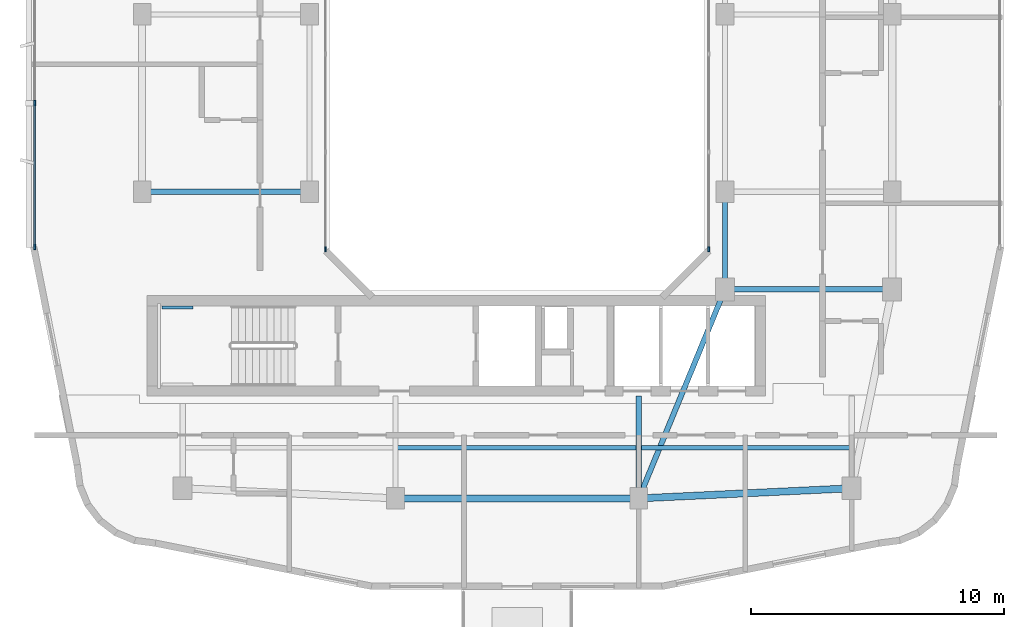
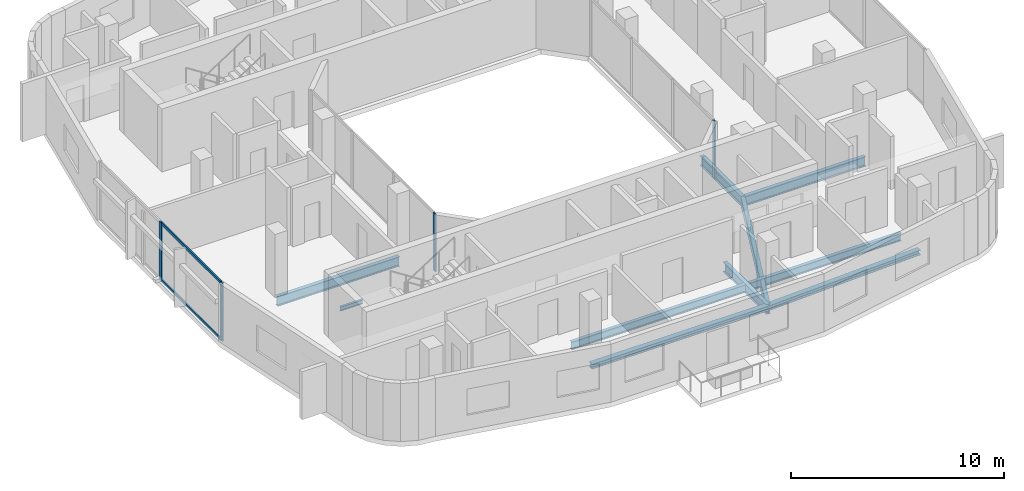
# One storey, part 2 of 13: 10 beams, 6 members, 3 elements without a shape of their own.
"""IFC4 building model written with IfcOpenShell, lengths in metres."""

from ifc_helpers import new_model, si_unit, derived_unit, direction, frame, origin, origin_2d, place, context, subcontext, project, spatial, rectangle, i_section, extrude, material, layer, layer_set, material_profile, profile_set, type_object, element, aggregate, save


model = new_model("IFC4")

# Units and contexts
model_context = context("Model", 3, precision=1e-05, world=origin(), true_north=direction((0.0, 1.0)))
body_context = subcontext(model_context, "Body", "Model", "MODEL_VIEW")
ifc_project = project(units=[si_unit("LENGTHUNIT", "METRE"), si_unit("AREAUNIT", "SQUARE_METRE"), si_unit("VOLUMEUNIT", "CUBIC_METRE"), si_unit("PLANEANGLEUNIT", "RADIAN"), si_unit("MASSUNIT", "GRAM", prefix="KILO"), derived_unit("THERMALTRANSMITTANCEUNIT", [(si_unit("POWERUNIT", "WATT"), 1), (si_unit("LENGTHUNIT", "METRE"), -2), (si_unit("THERMODYNAMICTEMPERATUREUNIT", "KELVIN"), -1)])], contexts=[model_context])

# Site, building, storey
site_placement = place(None, origin())
site = spatial("IfcSite", under=ifc_project, at=site_placement, CompositionType="ELEMENT")
building_placement = place(site_placement, origin())
building = spatial("IfcBuilding", under=site, at=building_placement, Name="Kivonza Crest Hotel", CompositionType="ELEMENT")
storey_placement = place(building_placement, frame((0.0, 0.0, 231.5)))
storey = spatial("IfcBuildingStorey", under=building, at=storey_placement, Name="L63", CompositionType="ELEMENT", Elevation=231.5)

# Beams
ifc_material_1 = material(Name="Steel S355", Category="steel")
ifc_material_profile_1 = material_profile(ifc_material_1, i_section(OverallWidth=0.280029296875, OverallDepth=0.280029296875, WebThickness=0.010498046875, FlangeThickness=0.01806640625, FilletRadius=0.02392578125, at=origin_2d()), Name="HEB 280")
ifc_profile_set_1 = profile_set([ifc_material_profile_1], Name="Steel S355")
beam_type_1 = type_object("IfcBeamType", Name="BM-HEB280", PredefinedType="SPANDREL", material=ifc_profile_set_1)
beam_1_placement = place(storey_placement, frame((16.199951171875, 9.39990234375, -0.419921875), z_axis=(1.0, 0.0, 0.0), x_axis=(0.0, 1.0, 0.0)))
element("IfcBeam", 1, at=beam_1_placement, inside=storey, type_object=beam_type_1, Name="Tower T1 L63 perimeter spandrel S1-S2", PredefinedType="SPANDREL", context=body_context, shape_type="SweptSolid", body=[
    extrude(i_section(OverallWidth=0.280029296875, OverallDepth=0.280029296875, WebThickness=0.010498046875, FlangeThickness=0.01806640625, FilletRadius=0.02392578125, at=origin_2d()), origin(), (0.0, 0.0, 1.0), 9.60009765625),
])
beam_2_placement = place(storey_placement, frame((25.800048828125, 9.39990234375, -0.419921875), z_axis=(0.998867283688, 0.047583080799, 0.0), x_axis=(-0.047583080799, 0.998867283688, 0.0)))
element("IfcBeam", 2, at=beam_2_placement, inside=storey, type_object=beam_type_1, Name="Tower T1 L63 perimeter spandrel S2-SE", PredefinedType="SPANDREL", context=body_context, shape_type="SweptSolid", body=[
    extrude(i_section(OverallWidth=0.280029296875, OverallDepth=0.280029296875, WebThickness=0.010498046875, FlangeThickness=0.01806640625, FilletRadius=0.02392578125, at=origin_2d()), origin(), (0.0, 0.0, 1.0), 8.409423828125),
])
ifc_material_profile_2 = material_profile(ifc_material_1, i_section(OverallWidth=0.18994140625, OverallDepth=0.449951171875, WebThickness=0.009521484375, FlangeThickness=0.0146484375, FilletRadius=0.02099609375, at=origin_2d()), Name="IPE 450")
ifc_profile_set_2 = profile_set([ifc_material_profile_2], Name="Steel S355")
beam_type_2 = type_object("IfcBeamType", Name="BM-IPE450", PredefinedType="JOIST", material=ifc_profile_set_2)
beam_3_placement = place(storey_placement, frame((16.280029296875, 11.39990234375, -0.5048828125), z_axis=(1.0, 0.0, 0.0), x_axis=(0.0, 1.0, 0.0)))
element("IfcBeam", 3, at=beam_3_placement, inside=storey, type_object=beam_type_2, Name="Tower T1 L63 South-Mid floor joist", PredefinedType="JOIST", context=body_context, shape_type="SweptSolid", body=[
    extrude(i_section(OverallWidth=0.18994140625, OverallDepth=0.449951171875, WebThickness=0.009521484375, FlangeThickness=0.0146484375, FilletRadius=0.02099609375, at=origin_2d()), origin(), (0.0, 0.0, 1.0), 9.43994140625),
])
beam_4_placement = place(storey_placement, frame((25.8798828125, 11.39990234375, -0.5048828125), z_axis=(1.0, 0.0, 0.0), x_axis=(0.0, 1.0, 0.0)))
element("IfcBeam", 4, at=beam_4_placement, inside=storey, type_object=beam_type_2, Name="Tower T1 L63 South-East floor joist", PredefinedType="JOIST", context=body_context, shape_type="SweptSolid", body=[
    extrude(i_section(OverallWidth=0.18994140625, OverallDepth=0.449951171875, WebThickness=0.009521484375, FlangeThickness=0.0146484375, FilletRadius=0.02099609375, at=origin_2d()), origin(), (0.0, 0.0, 1.0), 8.240234375),
])
ifc_material_profile_3 = material_profile(ifc_material_1, i_section(OverallWidth=0.2099609375, OverallDepth=0.550048828125, WebThickness=0.010986328125, FlangeThickness=0.01708984375, FilletRadius=0.02392578125, at=origin_2d()), Name="IPE 550")
ifc_profile_set_3 = profile_set([ifc_material_profile_3], Name="Steel S355")
beam_type_3 = type_object("IfcBeamType", Name="BM-IPE550", PredefinedType="BEAM", material=ifc_profile_set_3)
beam_5_placement = place(storey_placement, frame((6.199951171875, 21.5, -0.554931640625), z_axis=(1.0, 0.0, 0.0), x_axis=(0.0, 1.0, 0.0)))
element("IfcBeam", 5, at=beam_5_placement, inside=storey, type_object=beam_type_3, Name="Tower T1 L63 primary girder W1-WL1", PredefinedType="BEAM", context=body_context, shape_type="SweptSolid", body=[
    extrude(i_section(OverallWidth=0.2099609375, OverallDepth=0.550048828125, WebThickness=0.010986328125, FlangeThickness=0.01708984375, FilletRadius=0.02392578125, at=origin_2d()), origin(), (0.0, 0.0, 1.0), 6.60009765625),
])
beam_6_placement = place(storey_placement, frame((25.800048828125, 9.39990234375, -0.554931640625), z_axis=(0.381022260404, 0.924565864109, 0.0), x_axis=(-0.924565864109, 0.381022260404, 0.0)))
element("IfcBeam", 6, at=beam_6_placement, inside=storey, type_object=beam_type_3, Name="Tower T1 L63 primary girder S1-TSE", PredefinedType="BEAM", context=body_context, shape_type="SweptSolid", body=[
    extrude(i_section(OverallWidth=0.2099609375, OverallDepth=0.550048828125, WebThickness=0.010986328125, FlangeThickness=0.01708984375, FilletRadius=0.02392578125, at=origin_2d()), origin(), (0.0, 0.0, 1.0), 8.923095703125),
])
beam_7_placement = place(storey_placement, frame((29.199951171875, 17.64990234375, -0.554931640625), z_axis=(1.0, 0.0, 0.0), x_axis=(0.0, 1.0, 0.0)))
element("IfcBeam", 7, at=beam_7_placement, inside=storey, type_object=beam_type_3, Name="Tower T1 L63 primary girder TSE-PSE", PredefinedType="BEAM", context=body_context, shape_type="SweptSolid", body=[
    extrude(i_section(OverallWidth=0.2099609375, OverallDepth=0.550048828125, WebThickness=0.010986328125, FlangeThickness=0.01708984375, FilletRadius=0.02392578125, at=origin_2d()), origin(), (0.0, 0.0, 1.0), 6.60009765625),
])
beam_8_placement = place(storey_placement, frame((29.199951171875, 17.64990234375, -0.554931640625), z_axis=(0.0, 1.0, 0.0), x_axis=(-1.0, 0.0, 0.0)))
element("IfcBeam", 8, at=beam_8_placement, inside=storey, type_object=beam_type_3, Name="Tower T1 L63 primary girder TSE-WR1", PredefinedType="BEAM", context=body_context, shape_type="SweptSolid", body=[
    extrude(i_section(OverallWidth=0.2099609375, OverallDepth=0.550048828125, WebThickness=0.010986328125, FlangeThickness=0.01708984375, FilletRadius=0.02392578125, at=origin_2d()), origin(), (0.0, 0.0, 1.0), 3.85009765625),
])
beam_9_placement = place(storey_placement, frame((25.800048828125, 9.39990234375, -0.554931640625), z_axis=(0.0, 1.0, 0.0), x_axis=(-1.0, 0.0, 0.0)))
element("IfcBeam", 9, at=beam_9_placement, inside=storey, type_object=beam_type_3, Name="Tower T1 L63 radial core girder RS2", PredefinedType="BEAM", context=body_context, shape_type="SweptSolid", body=[
    extrude(i_section(OverallWidth=0.2099609375, OverallDepth=0.550048828125, WebThickness=0.010986328125, FlangeThickness=0.01708984375, FilletRadius=0.02392578125, at=origin_2d()), origin(), (0.0, 0.0, 1.0), 4.050048828125),
])
ifc_material_profile_4 = material_profile(ifc_material_1, i_section(OverallWidth=0.1201171875, OverallDepth=0.239990234375, WebThickness=0.006103515625, FlangeThickness=0.009765625, FilletRadius=0.014892578125, at=origin_2d()), Name="IPE 240")
ifc_profile_set_4 = profile_set([ifc_material_profile_4], Name="Steel S355")
beam_type_4 = type_object("IfcBeamType", Name="BM-LLDG-240", PredefinedType="BEAM", material=ifc_profile_set_4)
beam_10_placement = place(storey_placement, frame((6.989990234375, 16.93994140625, 1.47998046875), z_axis=(1.0, 0.0, 0.0), x_axis=(0.0, 1.0, 0.0)))
element("IfcBeam", 10, at=beam_10_placement, inside=storey, type_object=beam_type_4, Name="Stair ST-T1-S L63 North landing corbel", PredefinedType="BEAM", context=body_context, shape_type="SweptSolid", body=[
    extrude(i_section(OverallWidth=0.1201171875, OverallDepth=0.239990234375, WebThickness=0.006103515625, FlangeThickness=0.009765625, FilletRadius=0.014892578125, at=origin_2d()), origin(), (0.0, 0.0, 1.0), 1.2099609375),
])

# Curtain wall, member
ifc_material_2 = material(Name="Anodised bronze aluminium and low-E double glazing", Category="aluminium")
ifc_layer_1 = layer(ifc_material_2, 0.159912109375)
ifc_layer_set_1 = layer_set([ifc_layer_1], Name="Anodised bronze aluminium and low-E double glazing")
curtain_wall_type_1 = type_object("IfcCurtainWallType", Name="CW-SYS-5", PredefinedType="NOTDEFINED", material=ifc_layer_set_1)
curtain_wall_1_placement = place(storey_placement, origin())
curtain_wall_1 = element("IfcCurtainWall", 11, at=curtain_wall_1_placement, inside=storey, type_object=curtain_wall_type_1, Name="L63 unitised curtain wall CW-WELL-T1-L63-3", PredefinedType="NOTDEFINED")
ifc_material_3 = material(Name="Anodised bronze aluminium", Category="aluminium")
ifc_material_profile_5 = material_profile(ifc_material_3, rectangle(XDim=0.06494140625, YDim=0.179931640625, at=origin_2d()), Name="CW-M 65x180")
ifc_profile_set_5 = profile_set([ifc_material_profile_5], Name="Anodised bronze aluminium")
member_type_1 = type_object("IfcMemberType", Name="CW-MUL-65x180", PredefinedType="MULLION", material=ifc_profile_set_5)
member_1_placement = place(storey_placement, frame((28.56005859375, 19.232421875, 0.0), z_axis=(0.0, 0.0, 1.0), x_axis=(-1.0, 0.0, 0.0)))
member_1 = element("IfcMember", 12, at=member_1_placement, type_object=member_type_1, Name="CW-5 mullion 1", PredefinedType="MULLION", context=body_context, shape_type="SweptSolid", body=[
    extrude(rectangle(XDim=0.06494140625, YDim=0.179931640625, at=origin_2d()), origin(), (0.0, 0.0, 1.0), 3.320068359375),
])
aggregate(curtain_wall_1, [member_1])

curtain_wall_2_placement = place(storey_placement, origin())
curtain_wall_2 = element("IfcCurtainWall", 13, at=curtain_wall_2_placement, inside=storey, type_object=curtain_wall_type_1, Name="L63 unitised curtain wall CW-WELL-T1-L63-7", PredefinedType="NOTDEFINED")
member_2_placement = place(storey_placement, frame((13.43994140625, 19.232421875, 0.0), z_axis=(0.0, 0.0, 1.0), x_axis=(1.0, 0.0, 0.0)))
member_2 = element("IfcMember", 14, at=member_2_placement, type_object=member_type_1, Name="CW-5 mullion 4", PredefinedType="MULLION", context=body_context, shape_type="SweptSolid", body=[
    extrude(rectangle(XDim=0.06494140625, YDim=0.179931640625, at=origin_2d()), origin(), (0.0, 0.0, 1.0), 3.320068359375),
])
aggregate(curtain_wall_2, [member_2])

# Curtain wall, members
ifc_layer_2 = layer(ifc_material_2, 0.179931640625)
ifc_layer_set_2 = layer_set([ifc_layer_2], Name="Anodised bronze aluminium and low-E double glazing")
curtain_wall_type_2 = type_object("IfcCurtainWallType", Name="CW-SYS-3", PredefinedType="NOTDEFINED", material=ifc_layer_set_2)
curtain_wall_3_placement = place(storey_placement, origin())
curtain_wall_3 = element("IfcCurtainWall", 15, at=curtain_wall_3_placement, inside=storey, type_object=curtain_wall_type_2, Name="L63 unitised curtain wall CW-T1-L63-35", PredefinedType="NOTDEFINED")
ifc_material_profile_6 = material_profile(ifc_material_3, rectangle(XDim=0.074951171875, YDim=0.219970703125, at=origin_2d()), Name="CW-M 75x220")
ifc_profile_set_6 = profile_set([ifc_material_profile_6], Name="Anodised bronze aluminium")
member_type_2 = type_object("IfcMemberType", Name="CW-MUL-75x220", PredefinedType="MULLION", material=ifc_profile_set_6)
member_3_placement = place(storey_placement, frame((1.9599609375, 25.0, 0.0), z_axis=(0.0, 0.0, 1.0), x_axis=(1.0, 0.0, 0.0)))
member_3 = element("IfcMember", 16, at=member_3_placement, type_object=member_type_2, Name="CW-3 mullion 2", PredefinedType="MULLION", context=body_context, shape_type="SweptSolid", body=[
    extrude(rectangle(XDim=0.074951171875, YDim=0.219970703125, at=origin_2d()), origin(), (0.0, 0.0, 1.0), 3.320068359375),
])
member_4_placement = place(storey_placement, frame((1.9599609375, 19.3173828125, 0.0), z_axis=(0.0, 0.0, 1.0), x_axis=(1.0, 0.0, 0.0)))
member_4 = element("IfcMember", 17, at=member_4_placement, type_object=member_type_2, Name="CW-3 mullion 3", PredefinedType="MULLION", context=body_context, shape_type="SweptSolid", body=[
    extrude(rectangle(XDim=0.074951171875, YDim=0.219970703125, at=origin_2d()), origin(), (0.0, 0.0, 1.0), 3.320068359375),
])
ifc_material_profile_7 = material_profile(ifc_material_3, rectangle(XDim=0.074951171875, YDim=0.159912109375, at=origin_2d()), Name="CW-T 75x160")
ifc_profile_set_7 = profile_set([ifc_material_profile_7], Name="Anodised bronze aluminium")
member_type_3 = type_object("IfcMemberType", Name="CW-TRN-75x160", PredefinedType="USERDEFINED", material=ifc_profile_set_7)
member_5_placement = place(storey_placement, frame((1.9599609375, 24.96240234375, 0.03759765625), z_axis=(0.0, -1.0, 0.0), x_axis=(1.0, 0.0, 0.0)))
member_5 = element("IfcMember", 18, at=member_5_placement, type_object=member_type_3, Name="CW-3 transom 2.1", ObjectType="TRANSOM", PredefinedType="USERDEFINED", context=body_context, shape_type="SweptSolid", body=[
    extrude(rectangle(XDim=0.074951171875, YDim=0.159912109375, at=origin_2d()), origin(), (0.0, 0.0, 1.0), 5.607421875),
])
member_6_placement = place(storey_placement, frame((1.9599609375, 24.96240234375, 3.282470703125), z_axis=(0.0, -1.0, 0.0), x_axis=(1.0, 0.0, 0.0)))
member_6 = element("IfcMember", 19, at=member_6_placement, type_object=member_type_3, Name="CW-3 transom 2.2", ObjectType="TRANSOM", PredefinedType="USERDEFINED", context=body_context, shape_type="SweptSolid", body=[
    extrude(rectangle(XDim=0.074951171875, YDim=0.159912109375, at=origin_2d()), origin(), (0.0, 0.0, 1.0), 5.607421875),
])
aggregate(curtain_wall_3, [member_3, member_4, member_5, member_6])

save(model, "model.ifc")
